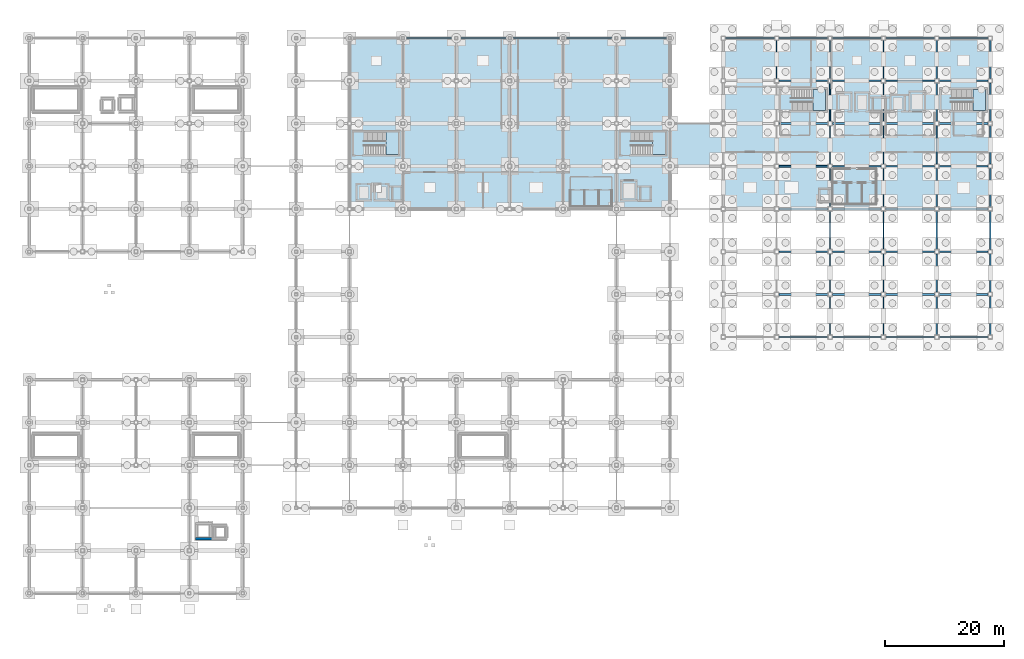
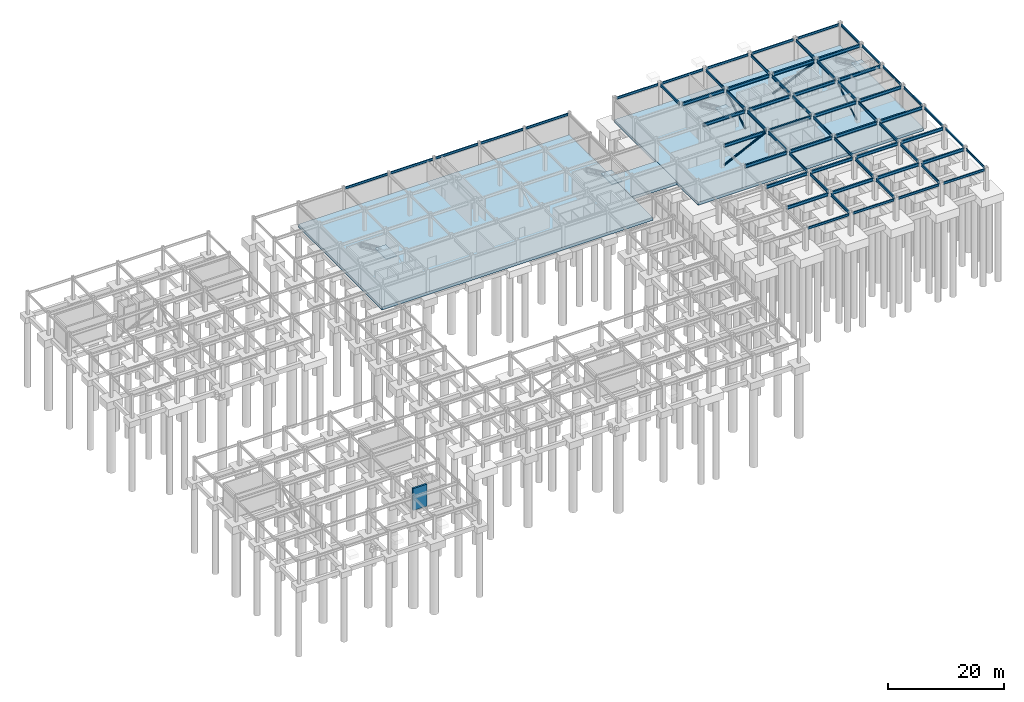
# One storey, part 20 of 28: 67 beams, 7 slabs, 4 members, 1 wall, 4 elements without a shape of their own.
"""IFC4 building model written with IfcOpenShell, lengths in metres."""

from ifc_helpers import new_model, si_unit, direction, frame, frame_2d, origin, origin_2d, place, context, subcontext, project, spatial, polyline, rectangle, hollow_circle, i_section, outline, extrude, material, layer, layer_set, material_profile, profile_set, type_object, element, aggregate, save


model = new_model("IFC4")

# Units and contexts
model_context = context("Model", 3, precision=1e-05, world=origin(), true_north=direction((0.0, 1.0)))
body_context = subcontext(model_context, "Body", "Model", "MODEL_VIEW")
ifc_project = project(units=[si_unit("LENGTHUNIT", "METRE"), si_unit("AREAUNIT", "SQUARE_METRE"), si_unit("VOLUMEUNIT", "CUBIC_METRE"), si_unit("PLANEANGLEUNIT", "RADIAN"), si_unit("MASSUNIT", "GRAM", prefix="KILO")], contexts=[model_context])

# Site, building, storey
site_placement = place(None, origin())
site = spatial("IfcSite", under=ifc_project, at=site_placement, CompositionType="ELEMENT")
building_placement = place(site_placement, origin())
building = spatial("IfcBuilding", under=site, at=building_placement, Name="Kazanami Central Library", CompositionType="ELEMENT")
storey_placement = place(building_placement, frame((0.0, 0.0, -4.89990234375)))
storey = spatial("IfcBuildingStorey", under=building, at=storey_placement, Name="B01", CompositionType="ELEMENT", Elevation=-4.89990234375)

# Beams
ifc_material_1 = material(Name="Steel SN490B (325 MPa)", Category="steel")
ifc_material_profile_1 = material_profile(ifc_material_1, i_section(OverallWidth=0.199951171875, OverallDepth=0.60009765625, WebThickness=0.010986328125, FlangeThickness=0.01708984375, at=origin_2d()), Name="H-600x200x11x17")
ifc_profile_set_1 = profile_set([ifc_material_profile_1], Name="Steel SN490B (325 MPa)")
beam_type_1 = type_object("IfcBeamType", Name="BM-G-BY1", PredefinedType="BEAM", material=ifc_profile_set_1)
beam_1_placement = place(storey_placement, frame((126.0, 86.77294921875, 4.324951171875), z_axis=(0.0, 1.0, 0.0), x_axis=(-1.0, 0.0, 0.0)))
element("IfcBeam", 1, at=beam_1_placement, inside=storey, type_object=beam_type_1, Name="Girder G-BY1 B01 15/N-O", PredefinedType="BEAM", context=body_context, shape_type="SweptSolid", body=[
    extrude(i_section(OverallWidth=0.199951171875, OverallDepth=0.60009765625, WebThickness=0.010986328125, FlangeThickness=0.01708984375, at=origin_2d()), origin(), (0.0, 0.0, 1.0), 6.47900390625),
])
for number, where, z_axis, x_axis, name in (
    (2, (135.0, 43.572998046875, 4.324951171875), (0.0, 1.0, 0.0), (-1.0, 0.0, 0.0), "Girder G-BY1 B01 16/G-H"),
    (3, (135.0, 50.77294921875, 4.324951171875), (0.0, 1.0, 0.0), (-1.0, 0.0, 0.0), "Girder G-BY1 B01 16/H-J"),
    (4, (135.0, 57.972900390625, 4.324951171875), (0.0, 1.0, 0.0), (-1.0, 0.0, 0.0), "Girder G-BY1 B01 16/J-K"),
):
    element("IfcBeam", number, at=place(storey_placement, frame(where, z_axis=z_axis, x_axis=x_axis)), inside=storey, type_object=beam_type_1, Name=name, PredefinedType="BEAM", context=body_context, shape_type="SweptSolid", body=[
        extrude(i_section(OverallWidth=0.199951171875, OverallDepth=0.60009765625, WebThickness=0.010986328125, FlangeThickness=0.01708984375, at=origin_2d()), origin(), (0.0, 0.0, 1.0), 6.4541015625),
    ])
for number, where, z_axis, x_axis, name in (
    (5, (135.0, 65.173095703125, 4.324951171875), (0.0, 1.0, 0.0), (-1.0, 0.0, 0.0), "Girder G-BY1 B01 16/K-L"),
    (6, (135.0, 72.373046875, 4.324951171875), (0.0, 1.0, 0.0), (-1.0, 0.0, 0.0), "Girder G-BY1 B01 16/L-M"),
):
    element("IfcBeam", number, at=place(storey_placement, frame(where, z_axis=z_axis, x_axis=x_axis)), inside=storey, type_object=beam_type_1, Name=name, PredefinedType="BEAM", context=body_context, shape_type="SweptSolid", body=[
        extrude(i_section(OverallWidth=0.199951171875, OverallDepth=0.60009765625, WebThickness=0.010986328125, FlangeThickness=0.01708984375, at=origin_2d()), origin(), (0.0, 0.0, 1.0), 6.453857421875),
    ])
beam_2_placement = place(storey_placement, frame((135.0, 79.572998046875, 4.324951171875), z_axis=(0.0, 1.0, 0.0), x_axis=(-1.0, 0.0, 0.0)))
element("IfcBeam", 7, at=beam_2_placement, inside=storey, type_object=beam_type_1, Name="Girder G-BY1 B01 16/M-N", PredefinedType="BEAM", context=body_context, shape_type="SweptSolid", body=[
    extrude(i_section(OverallWidth=0.199951171875, OverallDepth=0.60009765625, WebThickness=0.010986328125, FlangeThickness=0.01708984375, at=origin_2d()), origin(), (0.0, 0.0, 1.0), 6.4541015625),
])
beam_3_placement = place(storey_placement, frame((135.0, 86.77294921875, 4.324951171875), z_axis=(0.0, 1.0, 0.0), x_axis=(-1.0, 0.0, 0.0)))
element("IfcBeam", 8, at=beam_3_placement, inside=storey, type_object=beam_type_1, Name="Girder G-BY1 B01 16/N-O", PredefinedType="BEAM", context=body_context, shape_type="SweptSolid", body=[
    extrude(i_section(OverallWidth=0.199951171875, OverallDepth=0.60009765625, WebThickness=0.010986328125, FlangeThickness=0.01708984375, at=origin_2d()), origin(), (0.0, 0.0, 1.0), 6.47900390625),
])
for number, where, z_axis, x_axis, name in (
    (9, (144.0, 43.572998046875, 4.324951171875), (0.0, 1.0, 0.0), (-1.0, 0.0, 0.0), "Girder G-BY1 B01 17/G-H"),
    (10, (144.0, 50.77294921875, 4.324951171875), (0.0, 1.0, 0.0), (-1.0, 0.0, 0.0), "Girder G-BY1 B01 17/H-J"),
    (11, (144.0, 57.972900390625, 4.324951171875), (0.0, 1.0, 0.0), (-1.0, 0.0, 0.0), "Girder G-BY1 B01 17/J-K"),
):
    element("IfcBeam", number, at=place(storey_placement, frame(where, z_axis=z_axis, x_axis=x_axis)), inside=storey, type_object=beam_type_1, Name=name, PredefinedType="BEAM", context=body_context, shape_type="SweptSolid", body=[
        extrude(i_section(OverallWidth=0.199951171875, OverallDepth=0.60009765625, WebThickness=0.010986328125, FlangeThickness=0.01708984375, at=origin_2d()), origin(), (0.0, 0.0, 1.0), 6.4541015625),
    ])
for number, where, z_axis, x_axis, name in (
    (12, (144.0, 65.173095703125, 4.324951171875), (0.0, 1.0, 0.0), (-1.0, 0.0, 0.0), "Girder G-BY1 B01 17/K-L"),
    (13, (144.0, 72.373046875, 4.324951171875), (0.0, 1.0, 0.0), (-1.0, 0.0, 0.0), "Girder G-BY1 B01 17/L-M"),
):
    element("IfcBeam", number, at=place(storey_placement, frame(where, z_axis=z_axis, x_axis=x_axis)), inside=storey, type_object=beam_type_1, Name=name, PredefinedType="BEAM", context=body_context, shape_type="SweptSolid", body=[
        extrude(i_section(OverallWidth=0.199951171875, OverallDepth=0.60009765625, WebThickness=0.010986328125, FlangeThickness=0.01708984375, at=origin_2d()), origin(), (0.0, 0.0, 1.0), 6.453857421875),
    ])
beam_4_placement = place(storey_placement, frame((144.0, 79.572998046875, 4.324951171875), z_axis=(0.0, 1.0, 0.0), x_axis=(-1.0, 0.0, 0.0)))
element("IfcBeam", 14, at=beam_4_placement, inside=storey, type_object=beam_type_1, Name="Girder G-BY1 B01 17/M-N", PredefinedType="BEAM", context=body_context, shape_type="SweptSolid", body=[
    extrude(i_section(OverallWidth=0.199951171875, OverallDepth=0.60009765625, WebThickness=0.010986328125, FlangeThickness=0.01708984375, at=origin_2d()), origin(), (0.0, 0.0, 1.0), 6.4541015625),
])
beam_5_placement = place(storey_placement, frame((144.0, 86.77294921875, 4.324951171875), z_axis=(0.0, 1.0, 0.0), x_axis=(-1.0, 0.0, 0.0)))
element("IfcBeam", 15, at=beam_5_placement, inside=storey, type_object=beam_type_1, Name="Girder G-BY1 B01 17/N-O", PredefinedType="BEAM", context=body_context, shape_type="SweptSolid", body=[
    extrude(i_section(OverallWidth=0.199951171875, OverallDepth=0.60009765625, WebThickness=0.010986328125, FlangeThickness=0.01708984375, at=origin_2d()), origin(), (0.0, 0.0, 1.0), 6.47900390625),
])
for number, where, z_axis, x_axis, name in (
    (16, (153.0, 43.572998046875, 4.324951171875), (0.0, 1.0, 0.0), (-1.0, 0.0, 0.0), "Girder G-BY1 B01 18/G-H"),
    (17, (153.0, 50.77294921875, 4.324951171875), (0.0, 1.0, 0.0), (-1.0, 0.0, 0.0), "Girder G-BY1 B01 18/H-J"),
    (18, (153.0, 57.972900390625, 4.324951171875), (0.0, 1.0, 0.0), (-1.0, 0.0, 0.0), "Girder G-BY1 B01 18/J-K"),
):
    element("IfcBeam", number, at=place(storey_placement, frame(where, z_axis=z_axis, x_axis=x_axis)), inside=storey, type_object=beam_type_1, Name=name, PredefinedType="BEAM", context=body_context, shape_type="SweptSolid", body=[
        extrude(i_section(OverallWidth=0.199951171875, OverallDepth=0.60009765625, WebThickness=0.010986328125, FlangeThickness=0.01708984375, at=origin_2d()), origin(), (0.0, 0.0, 1.0), 6.4541015625),
    ])
for number, where, z_axis, x_axis, name in (
    (19, (153.0, 65.173095703125, 4.324951171875), (0.0, 1.0, 0.0), (-1.0, 0.0, 0.0), "Girder G-BY1 B01 18/K-L"),
    (20, (153.0, 72.373046875, 4.324951171875), (0.0, 1.0, 0.0), (-1.0, 0.0, 0.0), "Girder G-BY1 B01 18/L-M"),
):
    element("IfcBeam", number, at=place(storey_placement, frame(where, z_axis=z_axis, x_axis=x_axis)), inside=storey, type_object=beam_type_1, Name=name, PredefinedType="BEAM", context=body_context, shape_type="SweptSolid", body=[
        extrude(i_section(OverallWidth=0.199951171875, OverallDepth=0.60009765625, WebThickness=0.010986328125, FlangeThickness=0.01708984375, at=origin_2d()), origin(), (0.0, 0.0, 1.0), 6.453857421875),
    ])
beam_6_placement = place(storey_placement, frame((153.0, 79.572998046875, 4.324951171875), z_axis=(0.0, 1.0, 0.0), x_axis=(-1.0, 0.0, 0.0)))
element("IfcBeam", 21, at=beam_6_placement, inside=storey, type_object=beam_type_1, Name="Girder G-BY1 B01 18/M-N", PredefinedType="BEAM", context=body_context, shape_type="SweptSolid", body=[
    extrude(i_section(OverallWidth=0.199951171875, OverallDepth=0.60009765625, WebThickness=0.010986328125, FlangeThickness=0.01708984375, at=origin_2d()), origin(), (0.0, 0.0, 1.0), 6.4541015625),
])
beam_7_placement = place(storey_placement, frame((153.0, 86.77294921875, 4.324951171875), z_axis=(0.0, 1.0, 0.0), x_axis=(-1.0, 0.0, 0.0)))
element("IfcBeam", 22, at=beam_7_placement, inside=storey, type_object=beam_type_1, Name="Girder G-BY1 B01 18/N-O", PredefinedType="BEAM", context=body_context, shape_type="SweptSolid", body=[
    extrude(i_section(OverallWidth=0.199951171875, OverallDepth=0.60009765625, WebThickness=0.010986328125, FlangeThickness=0.01708984375, at=origin_2d()), origin(), (0.0, 0.0, 1.0), 6.47900390625),
])
ifc_material_profile_2 = material_profile(ifc_material_1, i_section(OverallWidth=0.300048828125, OverallDepth=0.64990234375, WebThickness=0.012939453125, FlangeThickness=0.02099609375, at=origin_2d()), Name="H-650x300x13x21")
ifc_profile_set_2 = profile_set([ifc_material_profile_2], Name="Steel SN490B (325 MPa)")
beam_type_2 = type_object("IfcBeamType", Name="BM-G-TR", PredefinedType="BEAM", material=ifc_profile_set_2)
for number, where, z_axis, x_axis, name in (
    (23, (126.373046875, 50.39990234375, 4.2998046875), (1.0, 0.0, 0.0), (0.0, 1.0, 0.0), "Girder G-TR B01 H/15-16"),
    (24, (135.373046875, 50.39990234375, 4.2998046875), (1.0, 0.0, 0.0), (0.0, 1.0, 0.0), "Girder G-TR B01 H/16-17"),
    (25, (144.373046875, 50.39990234375, 4.2998046875), (1.0, 0.0, 0.0), (0.0, 1.0, 0.0), "Girder G-TR B01 H/17-18"),
):
    element("IfcBeam", number, at=place(storey_placement, frame(where, z_axis=z_axis, x_axis=x_axis)), inside=storey, type_object=beam_type_2, Name=name, PredefinedType="BEAM", context=body_context, shape_type="SweptSolid", body=[
        extrude(i_section(OverallWidth=0.300048828125, OverallDepth=0.64990234375, WebThickness=0.012939453125, FlangeThickness=0.02099609375, at=origin_2d()), origin(), (0.0, 0.0, 1.0), 8.25390625),
    ])
beam_8_placement = place(storey_placement, frame((153.373046875, 50.39990234375, 4.2998046875), z_axis=(1.0, 0.0, 0.0), x_axis=(0.0, 1.0, 0.0)))
element("IfcBeam", 26, at=beam_8_placement, inside=storey, type_object=beam_type_2, Name="Girder G-TR B01 H/18-19", PredefinedType="BEAM", context=body_context, shape_type="SweptSolid", body=[
    extrude(i_section(OverallWidth=0.300048828125, OverallDepth=0.64990234375, WebThickness=0.012939453125, FlangeThickness=0.02099609375, at=origin_2d()), origin(), (0.0, 0.0, 1.0), 8.279052734375),
])
for number, where, z_axis, x_axis, name in (
    (27, (126.373046875, 57.60009765625, 4.2998046875), (1.0, 0.0, 0.0), (0.0, 1.0, 0.0), "Girder G-TR B01 J/15-16"),
    (28, (135.373046875, 57.60009765625, 4.2998046875), (1.0, 0.0, 0.0), (0.0, 1.0, 0.0), "Girder G-TR B01 J/16-17"),
    (29, (144.373046875, 57.60009765625, 4.2998046875), (1.0, 0.0, 0.0), (0.0, 1.0, 0.0), "Girder G-TR B01 J/17-18"),
):
    element("IfcBeam", number, at=place(storey_placement, frame(where, z_axis=z_axis, x_axis=x_axis)), inside=storey, type_object=beam_type_2, Name=name, PredefinedType="BEAM", context=body_context, shape_type="SweptSolid", body=[
        extrude(i_section(OverallWidth=0.300048828125, OverallDepth=0.64990234375, WebThickness=0.012939453125, FlangeThickness=0.02099609375, at=origin_2d()), origin(), (0.0, 0.0, 1.0), 8.25390625),
    ])
beam_9_placement = place(storey_placement, frame((153.373046875, 57.60009765625, 4.2998046875), z_axis=(1.0, 0.0, 0.0), x_axis=(0.0, 1.0, 0.0)))
element("IfcBeam", 30, at=beam_9_placement, inside=storey, type_object=beam_type_2, Name="Girder G-TR B01 J/18-19", PredefinedType="BEAM", context=body_context, shape_type="SweptSolid", body=[
    extrude(i_section(OverallWidth=0.300048828125, OverallDepth=0.64990234375, WebThickness=0.012939453125, FlangeThickness=0.02099609375, at=origin_2d()), origin(), (0.0, 0.0, 1.0), 8.279052734375),
])
for number, where, z_axis, x_axis, name in (
    (31, (126.373046875, 64.800048828125, 4.2998046875), (1.0, 0.0, 0.0), (0.0, 1.0, 0.0), "Girder G-TR B01 K/15-16"),
    (32, (135.373046875, 64.800048828125, 4.2998046875), (1.0, 0.0, 0.0), (0.0, 1.0, 0.0), "Girder G-TR B01 K/16-17"),
    (33, (144.373046875, 64.800048828125, 4.2998046875), (1.0, 0.0, 0.0), (0.0, 1.0, 0.0), "Girder G-TR B01 K/17-18"),
):
    element("IfcBeam", number, at=place(storey_placement, frame(where, z_axis=z_axis, x_axis=x_axis)), inside=storey, type_object=beam_type_2, Name=name, PredefinedType="BEAM", context=body_context, shape_type="SweptSolid", body=[
        extrude(i_section(OverallWidth=0.300048828125, OverallDepth=0.64990234375, WebThickness=0.012939453125, FlangeThickness=0.02099609375, at=origin_2d()), origin(), (0.0, 0.0, 1.0), 8.25390625),
    ])
beam_10_placement = place(storey_placement, frame((153.373046875, 64.800048828125, 4.2998046875), z_axis=(1.0, 0.0, 0.0), x_axis=(0.0, 1.0, 0.0)))
element("IfcBeam", 34, at=beam_10_placement, inside=storey, type_object=beam_type_2, Name="Girder G-TR B01 K/18-19", PredefinedType="BEAM", context=body_context, shape_type="SweptSolid", body=[
    extrude(i_section(OverallWidth=0.300048828125, OverallDepth=0.64990234375, WebThickness=0.012939453125, FlangeThickness=0.02099609375, at=origin_2d()), origin(), (0.0, 0.0, 1.0), 8.279052734375),
])
for number, where, z_axis, x_axis, name in (
    (35, (126.373046875, 72.0, 4.2998046875), (1.0, 0.0, 0.0), (0.0, 1.0, 0.0), "Girder G-TR B01 L/15-16"),
    (36, (135.373046875, 72.0, 4.2998046875), (1.0, 0.0, 0.0), (0.0, 1.0, 0.0), "Girder G-TR B01 L/16-17"),
    (37, (144.373046875, 72.0, 4.2998046875), (1.0, 0.0, 0.0), (0.0, 1.0, 0.0), "Girder G-TR B01 L/17-18"),
):
    element("IfcBeam", number, at=place(storey_placement, frame(where, z_axis=z_axis, x_axis=x_axis)), inside=storey, type_object=beam_type_2, Name=name, PredefinedType="BEAM", context=body_context, shape_type="SweptSolid", body=[
        extrude(i_section(OverallWidth=0.300048828125, OverallDepth=0.64990234375, WebThickness=0.012939453125, FlangeThickness=0.02099609375, at=origin_2d()), origin(), (0.0, 0.0, 1.0), 8.25390625),
    ])
beam_11_placement = place(storey_placement, frame((153.373046875, 72.0, 4.2998046875), z_axis=(1.0, 0.0, 0.0), x_axis=(0.0, 1.0, 0.0)))
element("IfcBeam", 38, at=beam_11_placement, inside=storey, type_object=beam_type_2, Name="Girder G-TR B01 L/18-19", PredefinedType="BEAM", context=body_context, shape_type="SweptSolid", body=[
    extrude(i_section(OverallWidth=0.300048828125, OverallDepth=0.64990234375, WebThickness=0.012939453125, FlangeThickness=0.02099609375, at=origin_2d()), origin(), (0.0, 0.0, 1.0), 8.279052734375),
])
for number, where, z_axis, x_axis, name in (
    (39, (126.373046875, 79.199951171875, 4.2998046875), (1.0, 0.0, 0.0), (0.0, 1.0, 0.0), "Girder G-TR B01 M/15-16"),
    (40, (135.373046875, 79.199951171875, 4.2998046875), (1.0, 0.0, 0.0), (0.0, 1.0, 0.0), "Girder G-TR B01 M/16-17"),
    (41, (144.373046875, 79.199951171875, 4.2998046875), (1.0, 0.0, 0.0), (0.0, 1.0, 0.0), "Girder G-TR B01 M/17-18"),
):
    element("IfcBeam", number, at=place(storey_placement, frame(where, z_axis=z_axis, x_axis=x_axis)), inside=storey, type_object=beam_type_2, Name=name, PredefinedType="BEAM", context=body_context, shape_type="SweptSolid", body=[
        extrude(i_section(OverallWidth=0.300048828125, OverallDepth=0.64990234375, WebThickness=0.012939453125, FlangeThickness=0.02099609375, at=origin_2d()), origin(), (0.0, 0.0, 1.0), 8.25390625),
    ])
beam_12_placement = place(storey_placement, frame((153.373046875, 79.199951171875, 4.2998046875), z_axis=(1.0, 0.0, 0.0), x_axis=(0.0, 1.0, 0.0)))
element("IfcBeam", 42, at=beam_12_placement, inside=storey, type_object=beam_type_2, Name="Girder G-TR B01 M/18-19", PredefinedType="BEAM", context=body_context, shape_type="SweptSolid", body=[
    extrude(i_section(OverallWidth=0.300048828125, OverallDepth=0.64990234375, WebThickness=0.012939453125, FlangeThickness=0.02099609375, at=origin_2d()), origin(), (0.0, 0.0, 1.0), 8.279052734375),
])
for number, where, z_axis, x_axis, name in (
    (43, (126.373046875, 86.39990234375, 4.2998046875), (1.0, 0.0, 0.0), (0.0, 1.0, 0.0), "Girder G-TR B01 N/15-16"),
    (44, (135.373046875, 86.39990234375, 4.2998046875), (1.0, 0.0, 0.0), (0.0, 1.0, 0.0), "Girder G-TR B01 N/16-17"),
    (45, (144.373046875, 86.39990234375, 4.2998046875), (1.0, 0.0, 0.0), (0.0, 1.0, 0.0), "Girder G-TR B01 N/17-18"),
):
    element("IfcBeam", number, at=place(storey_placement, frame(where, z_axis=z_axis, x_axis=x_axis)), inside=storey, type_object=beam_type_2, Name=name, PredefinedType="BEAM", context=body_context, shape_type="SweptSolid", body=[
        extrude(i_section(OverallWidth=0.300048828125, OverallDepth=0.64990234375, WebThickness=0.012939453125, FlangeThickness=0.02099609375, at=origin_2d()), origin(), (0.0, 0.0, 1.0), 8.25390625),
    ])
beam_13_placement = place(storey_placement, frame((153.373046875, 86.39990234375, 4.2998046875), z_axis=(1.0, 0.0, 0.0), x_axis=(0.0, 1.0, 0.0)))
element("IfcBeam", 46, at=beam_13_placement, inside=storey, type_object=beam_type_2, Name="Girder G-TR B01 N/18-19", PredefinedType="BEAM", context=body_context, shape_type="SweptSolid", body=[
    extrude(i_section(OverallWidth=0.300048828125, OverallDepth=0.64990234375, WebThickness=0.012939453125, FlangeThickness=0.02099609375, at=origin_2d()), origin(), (0.0, 0.0, 1.0), 8.279052734375),
])
ifc_material_profile_3 = material_profile(ifc_material_1, i_section(OverallWidth=0.199951171875, OverallDepth=0.5, WebThickness=0.010009765625, FlangeThickness=0.01611328125, at=origin_2d()), Name="H-500x200x10x16")
ifc_profile_set_3 = profile_set([ifc_material_profile_3], Name="Steel SN490B (325 MPa)")
beam_type_3 = type_object("IfcBeamType", Name="BM-SP-1", PredefinedType="SPANDREL", material=ifc_profile_set_3)
for number, where, z_axis, x_axis, name in (
    (47, (126.373046875, 43.199951171875, 4.375), (1.0, 0.0, 0.0), (0.0, 1.0, 0.0), "Girder SP-1 B01 G/15-16"),
    (48, (135.373046875, 43.199951171875, 4.375), (1.0, 0.0, 0.0), (0.0, 1.0, 0.0), "Girder SP-1 B01 G/16-17"),
    (49, (144.373046875, 43.199951171875, 4.375), (1.0, 0.0, 0.0), (0.0, 1.0, 0.0), "Girder SP-1 B01 G/17-18"),
):
    element("IfcBeam", number, at=place(storey_placement, frame(where, z_axis=z_axis, x_axis=x_axis)), inside=storey, type_object=beam_type_3, Name=name, PredefinedType="SPANDREL", context=body_context, shape_type="SweptSolid", body=[
        extrude(i_section(OverallWidth=0.199951171875, OverallDepth=0.5, WebThickness=0.010009765625, FlangeThickness=0.01611328125, at=origin_2d()), origin(), (0.0, 0.0, 1.0), 8.25390625),
    ])
beam_14_placement = place(storey_placement, frame((153.373046875, 43.199951171875, 4.375), z_axis=(1.0, 0.0, 0.0), x_axis=(0.0, 1.0, 0.0)))
element("IfcBeam", 50, at=beam_14_placement, inside=storey, type_object=beam_type_3, Name="Girder SP-1 B01 G/18-19", PredefinedType="SPANDREL", context=body_context, shape_type="SweptSolid", body=[
    extrude(i_section(OverallWidth=0.199951171875, OverallDepth=0.5, WebThickness=0.010009765625, FlangeThickness=0.01611328125, at=origin_2d()), origin(), (0.0, 0.0, 1.0), 8.279052734375),
])
for number, where, z_axis, x_axis, name in (
    (51, (63.248046875, 93.60009765625, 4.375), (1.0, 0.0, 0.0), (0.0, 1.0, 0.0), "Girder SP-1 B01 O/8-9"),
    (52, (72.248046875, 93.60009765625, 4.375), (1.0, 0.0, 0.0), (0.0, 1.0, 0.0), "Girder SP-1 B01 O/9-10"),
    (53, (81.248046875, 93.60009765625, 4.375), (1.0, 0.0, 0.0), (0.0, 1.0, 0.0), "Girder SP-1 B01 O/10-11"),
    (54, (90.248046875, 93.60009765625, 4.375), (1.0, 0.0, 0.0), (0.0, 1.0, 0.0), "Girder SP-1 B01 O/11-12"),
    (55, (99.248046875, 93.60009765625, 4.375), (1.0, 0.0, 0.0), (0.0, 1.0, 0.0), "Girder SP-1 B01 O/12-13"),
):
    element("IfcBeam", number, at=place(storey_placement, frame(where, z_axis=z_axis, x_axis=x_axis)), inside=storey, type_object=beam_type_3, Name=name, PredefinedType="SPANDREL", context=body_context, shape_type="SweptSolid", body=[
        extrude(i_section(OverallWidth=0.199951171875, OverallDepth=0.5, WebThickness=0.010009765625, FlangeThickness=0.01611328125, at=origin_2d()), origin(), (0.0, 0.0, 1.0), 8.50390625),
    ])
for number, where, z_axis, x_axis, name in (
    (56, (117.347900390625, 93.60009765625, 4.375), (1.0, 0.0, 0.0), (0.0, 1.0, 0.0), "Girder SP-1 B01 O/14-15"),
    (57, (126.347900390625, 93.60009765625, 4.375), (1.0, 0.0, 0.0), (0.0, 1.0, 0.0), "Girder SP-1 B01 O/15-16"),
    (58, (135.347900390625, 93.60009765625, 4.375), (1.0, 0.0, 0.0), (0.0, 1.0, 0.0), "Girder SP-1 B01 O/16-17"),
    (59, (144.347900390625, 93.60009765625, 4.375), (1.0, 0.0, 0.0), (0.0, 1.0, 0.0), "Girder SP-1 B01 O/17-18"),
    (60, (153.347900390625, 93.60009765625, 4.375), (1.0, 0.0, 0.0), (0.0, 1.0, 0.0), "Girder SP-1 B01 O/18-19"),
):
    element("IfcBeam", number, at=place(storey_placement, frame(where, z_axis=z_axis, x_axis=x_axis)), inside=storey, type_object=beam_type_3, Name=name, PredefinedType="SPANDREL", context=body_context, shape_type="SweptSolid", body=[
        extrude(i_section(OverallWidth=0.199951171875, OverallDepth=0.5, WebThickness=0.010009765625, FlangeThickness=0.01611328125, at=origin_2d()), origin(), (0.0, 0.0, 1.0), 8.30419921875),
    ])
for number, where, z_axis, x_axis, name in (
    (61, (162.0, 43.548095703125, 4.375), (0.0, 1.0, 0.0), (-1.0, 0.0, 0.0), "Girder SP-1 B01 19/G-H"),
    (62, (162.0, 50.748046875, 4.375), (0.0, 1.0, 0.0), (-1.0, 0.0, 0.0), "Girder SP-1 B01 19/H-J"),
    (63, (162.0, 57.947998046875, 4.375), (0.0, 1.0, 0.0), (-1.0, 0.0, 0.0), "Girder SP-1 B01 19/J-K"),
):
    element("IfcBeam", number, at=place(storey_placement, frame(where, z_axis=z_axis, x_axis=x_axis)), inside=storey, type_object=beam_type_3, Name=name, PredefinedType="SPANDREL", context=body_context, shape_type="SweptSolid", body=[
        extrude(i_section(OverallWidth=0.199951171875, OverallDepth=0.5, WebThickness=0.010009765625, FlangeThickness=0.01611328125, at=origin_2d()), origin(), (0.0, 0.0, 1.0), 6.50390625),
    ])
for number, where, z_axis, x_axis, name in (
    (64, (162.0, 65.14794921875, 4.375), (0.0, 1.0, 0.0), (-1.0, 0.0, 0.0), "Girder SP-1 B01 19/K-L"),
    (65, (162.0, 72.347900390625, 4.375), (0.0, 1.0, 0.0), (-1.0, 0.0, 0.0), "Girder SP-1 B01 19/L-M"),
):
    element("IfcBeam", number, at=place(storey_placement, frame(where, z_axis=z_axis, x_axis=x_axis)), inside=storey, type_object=beam_type_3, Name=name, PredefinedType="SPANDREL", context=body_context, shape_type="SweptSolid", body=[
        extrude(i_section(OverallWidth=0.199951171875, OverallDepth=0.5, WebThickness=0.010009765625, FlangeThickness=0.01611328125, at=origin_2d()), origin(), (0.0, 0.0, 1.0), 6.504150390625),
    ])
for number, where, z_axis, x_axis, name in (
    (66, (162.0, 79.548095703125, 4.375), (0.0, 1.0, 0.0), (-1.0, 0.0, 0.0), "Girder SP-1 B01 19/M-N"),
    (67, (162.0, 86.748046875, 4.375), (0.0, 1.0, 0.0), (-1.0, 0.0, 0.0), "Girder SP-1 B01 19/N-O"),
):
    element("IfcBeam", number, at=place(storey_placement, frame(where, z_axis=z_axis, x_axis=x_axis)), inside=storey, type_object=beam_type_3, Name=name, PredefinedType="SPANDREL", context=body_context, shape_type="SweptSolid", body=[
        extrude(i_section(OverallWidth=0.199951171875, OverallDepth=0.5, WebThickness=0.010009765625, FlangeThickness=0.01611328125, at=origin_2d()), origin(), (0.0, 0.0, 1.0), 6.50390625),
    ])

# Members
ifc_material_2 = material(Name="Steel STK490 (315 MPa)", Category="steel")
ifc_material_profile_4 = material_profile(ifc_material_2, hollow_circle(Radius=0.177734375, WallThickness=0.0126953125, at=origin_2d()), Name="CHS-355.6x12.7")
ifc_profile_set_4 = profile_set([ifc_material_profile_4], Name="Steel STK490 (315 MPa)")
member_type_1 = type_object("IfcMemberType", Name="MEM-BR-01", PredefinedType="BRACE", material=ifc_profile_set_4)
member_1_placement = place(storey_placement, frame((126.375, 72.0, 0.25), z_axis=(0.900889329792, 0.0, 0.434048862995), x_axis=(0.0, 1.0, 0.0)))
element("IfcMember", 68, at=member_1_placement, inside=storey, type_object=member_type_1, Name="Concentric Steel Brace BR-01 B01 BF-V2A", PredefinedType="BRACE", context=body_context, shape_type="SweptSolid", body=[
    extrude(hollow_circle(Radius=0.177734375, WallThickness=0.0126953125, at=origin_2d()), origin(), (0.0, 0.0, 1.0), 9.15771484375),
])
ifc_material_profile_5 = material_profile(ifc_material_2, hollow_circle(Radius=0.1591796875, WallThickness=0.01025390625, at=origin_2d()), Name="CHS-318.5x10.3")
ifc_profile_set_5 = profile_set([ifc_material_profile_5], Name="Steel STK490 (315 MPa)")
member_type_2 = type_object("IfcMemberType", Name="MEM-BR-02", PredefinedType="BRACE", material=ifc_profile_set_5)
member_2_placement = place(storey_placement, frame((144.375, 86.39990234375, 0.25), z_axis=(0.912651796094, 0.0, 0.408737934484), x_axis=(0.0, 1.0, 0.0)))
element("IfcMember", 69, at=member_2_placement, inside=storey, type_object=member_type_2, Name="Concentric Steel Brace BR-02 B01 BF-V2B", PredefinedType="BRACE", context=body_context, shape_type="SweptSolid", body=[
    extrude(hollow_circle(Radius=0.1591796875, WallThickness=0.01025390625, at=origin_2d()), origin(), (0.0, 0.0, 1.0), 9.03955078125),
])
ifc_material_profile_6 = material_profile(ifc_material_2, hollow_circle(Radius=0.1337890625, WallThickness=0.00927734375, at=origin_2d()), Name="CHS-267.4x9.3")
ifc_profile_set_6 = profile_set([ifc_material_profile_6], Name="Steel STK490 (315 MPa)")
member_type_3 = type_object("IfcMemberType", Name="MEM-BR-03", PredefinedType="BRACE", material=ifc_profile_set_6)
member_3_placement = place(storey_placement, frame((135.0, 79.574951171875, 0.25), z_axis=(0.0, 0.867713096671, 0.497065369811), x_axis=(-1.0, 0.0, 0.0)))
element("IfcMember", 70, at=member_3_placement, inside=storey, type_object=member_type_3, Name="Concentric Steel Brace BR-03 B01 BF-V2C", PredefinedType="BRACE", context=body_context, shape_type="SweptSolid", body=[
    extrude(hollow_circle(Radius=0.1337890625, WallThickness=0.00927734375, at=origin_2d()), origin(), (0.0, 0.0, 1.0), 7.433349609375),
])
ifc_material_profile_7 = material_profile(ifc_material_2, hollow_circle(Radius=0.108154296875, WallThickness=0.00830078125, at=origin_2d()), Name="CHS-216.3x8.2")
ifc_profile_set_7 = profile_set([ifc_material_profile_7], Name="Steel STK490 (315 MPa)")
member_type_4 = type_object("IfcMemberType", Name="MEM-BR-04", PredefinedType="BRACE", material=ifc_profile_set_7)
member_4_placement = place(storey_placement, frame((153.0, 72.375, 0.25), z_axis=(0.0, 0.867713096671, 0.497065369811), x_axis=(-1.0, 0.0, 0.0)))
element("IfcMember", 71, at=member_4_placement, inside=storey, type_object=member_type_4, Name="Concentric Steel Brace BR-04 B01 BF-V2D", PredefinedType="BRACE", context=body_context, shape_type="SweptSolid", body=[
    extrude(hollow_circle(Radius=0.108154296875, WallThickness=0.00830078125, at=origin_2d()), origin(), (0.0, 0.0, 1.0), 7.433349609375),
])

# Stair, slab
ifc_material_3 = material(Name="Concrete Fc36 (36 MPa)", Category="concrete")
stair_type_1 = type_object("IfcStairType", Name="STR-T49", PredefinedType="HALF_TURN_STAIR", material=ifc_material_3)
stair_1_placement = place(storey_placement, origin())
stair_1 = element("IfcStair", 72, at=stair_1_placement, inside=storey, type_object=stair_type_1, Name="Enclosed Escape Stair ST-01 (B01)", PredefinedType="HALF_TURN_STAIR")
ifc_layer_1 = layer(ifc_material_3, 0.179931640625, Name="Concrete Fc36 (36 MPa)")
ifc_layer_set_1 = layer_set([ifc_layer_1], Name="Concrete Fc36 (36 MPa)")
slab_type_1 = type_object("IfcSlabType", Name="SLB-LND-180", PredefinedType="LANDING", material=ifc_layer_set_1)
slab_1_placement = place(storey_placement, frame((0.0, 0.0, 2.27001953125)))
slab_1 = element("IfcSlab", 73, at=slab_1_placement, type_object=slab_type_1, Name="ST-01 landing 1", PredefinedType="LANDING", context=body_context, shape_type="SweptSolid", body=[
    extrude(outline(polyline([(132.10791015625, 81.375), (134.22509765625, 81.375), (134.22509765625, 84.925048828125), (132.10791015625, 84.925048828125), (132.10791015625, 81.375)])), origin(), (0.0, 0.0, 1.0), 0.179931640625),
])
aggregate(stair_1, [slab_1])

stair_2_placement = place(storey_placement, origin())
stair_2 = element("IfcStair", 74, at=stair_2_placement, inside=storey, type_object=stair_type_1, Name="Enclosed Escape Stair ST-02 (B01)", PredefinedType="HALF_TURN_STAIR")
slab_2_placement = place(storey_placement, frame((0.0, 0.0, 2.27001953125)))
slab_2 = element("IfcSlab", 75, at=slab_2_placement, type_object=slab_type_1, Name="ST-02 landing 1", PredefinedType="LANDING", context=body_context, shape_type="SweptSolid", body=[
    extrude(outline(polyline([(159.10791015625, 81.375), (161.22509765625, 81.375), (161.22509765625, 84.925048828125), (159.10791015625, 84.925048828125), (159.10791015625, 81.375)])), origin(), (0.0, 0.0, 1.0), 0.179931640625),
])
aggregate(stair_2, [slab_2])

stair_type_2 = type_object("IfcStairType", Name="STR-P49", PredefinedType="HALF_TURN_STAIR", material=ifc_material_3)
stair_3_placement = place(storey_placement, origin())
stair_3 = element("IfcStair", 76, at=stair_3_placement, inside=storey, type_object=stair_type_2, Name="Enclosed Escape Stair ST-03 (B01)", PredefinedType="HALF_TURN_STAIR")
slab_3_placement = place(storey_placement, frame((0.0, 0.0, 2.27001953125)))
slab_3 = element("IfcSlab", 77, at=slab_3_placement, type_object=slab_type_1, Name="ST-03 landing 1", PredefinedType="LANDING", context=body_context, shape_type="SweptSolid", body=[
    extrude(outline(polyline([(60.10791015625, 73.949951171875), (62.25, 73.949951171875), (62.25, 77.75), (60.10791015625, 77.75), (60.10791015625, 73.949951171875)])), origin(), (0.0, 0.0, 1.0), 0.179931640625),
])
aggregate(stair_3, [slab_3])

stair_4_placement = place(storey_placement, origin())
stair_4 = element("IfcStair", 78, at=stair_4_placement, inside=storey, type_object=stair_type_2, Name="Enclosed Escape Stair ST-04 (B01)", PredefinedType="HALF_TURN_STAIR")
slab_4_placement = place(storey_placement, frame((0.0, 0.0, 2.27001953125)))
slab_4 = element("IfcSlab", 79, at=slab_4_placement, type_object=slab_type_1, Name="ST-04 landing 1", PredefinedType="LANDING", context=body_context, shape_type="SweptSolid", body=[
    extrude(outline(polyline([(105.10791015625, 73.949951171875), (107.25, 73.949951171875), (107.25, 77.75), (105.10791015625, 77.75), (105.10791015625, 73.949951171875)])), origin(), (0.0, 0.0, 1.0), 0.179931640625),
])
aggregate(stair_4, [slab_4])

# Slabs
ifc_layer_2 = layer(ifc_material_3, 0.6201171875, Name="Concrete Fc36 (36 MPa)")
ifc_layer_set_2 = layer_set([ifc_layer_2], Name="Concrete Fc36 (36 MPa)")
slab_type_2 = type_object("IfcSlabType", Name="SLB-MAT-620", PredefinedType="BASESLAB", material=ifc_layer_set_2)
slab_5_placement = place(storey_placement, frame((0.0, 0.0, -0.6201171875)))
element("IfcSlab", 80, at=slab_5_placement, inside=storey, type_object=slab_type_2, Name="Basement Mat Slab B01-V1", PredefinedType="BASESLAB", context=body_context, shape_type="SweptSolid", body=[
    extrude(outline(polyline([(54.0, 64.800048828125), (108.0, 64.800048828125), (108.0, 93.60009765625), (54.0, 93.60009765625), (54.0, 64.800048828125)])), origin(), (0.0, 0.0, 1.0), 0.6201171875),
])
slab_6_placement = place(storey_placement, frame((0.0, 0.0, -0.6201171875)))
element("IfcSlab", 81, at=slab_6_placement, inside=storey, type_object=slab_type_2, Name="Covered Seismic-Joint Basement Corridor Mat B01-LINK", PredefinedType="BASESLAB", context=body_context, shape_type="SweptSolid", body=[
    extrude(outline(polyline([(108.0, 72.0), (117.0, 72.0), (117.0, 79.199951171875), (108.0, 79.199951171875), (108.0, 72.0)])), origin(), (0.0, 0.0, 1.0), 0.6201171875),
])
slab_7_placement = place(storey_placement, frame((0.0, 0.0, -0.6201171875)))
element("IfcSlab", 82, at=slab_7_placement, inside=storey, type_object=slab_type_2, Name="Basement Mat Slab B01-V2", PredefinedType="BASESLAB", context=body_context, shape_type="SweptSolid", body=[
    extrude(outline(polyline([(117.0, 64.800048828125), (162.0, 64.800048828125), (162.0, 93.60009765625), (117.0, 93.60009765625), (117.0, 64.800048828125)])), origin(), (0.0, 0.0, 1.0), 0.6201171875),
])

# Wall
ifc_layer_3 = layer(ifc_material_3, 0.35009765625, Name="Concrete Fc36 (36 MPa)")
ifc_layer_set_3 = layer_set([ifc_layer_3], Name="Concrete Fc36 (36 MPa)")
wall_type = type_object("IfcWallType", Name="WAL-SW-350", PredefinedType="SHEAR", material=ifc_layer_set_3)
wall_placement = place(storey_placement, frame((28.02490234375, 9.199951171875, 0.0), z_axis=(0.0, 0.0, 1.0), x_axis=(1.0, 0.0, 0.0)))
element("IfcWall", 83, at=wall_placement, inside=storey, type_object=wall_type, Name="Lift Pit Foundation Wall EL-P5 S", PredefinedType="SHEAR", context=body_context, shape_type="SweptSolid", body=[
    extrude(rectangle(XDim=2.75, YDim=0.35009765625, at=frame_2d((1.375, 0.0))), origin(), (0.0, 0.0, 1.0), 4.625),
])

save(model, "model.ifc")
